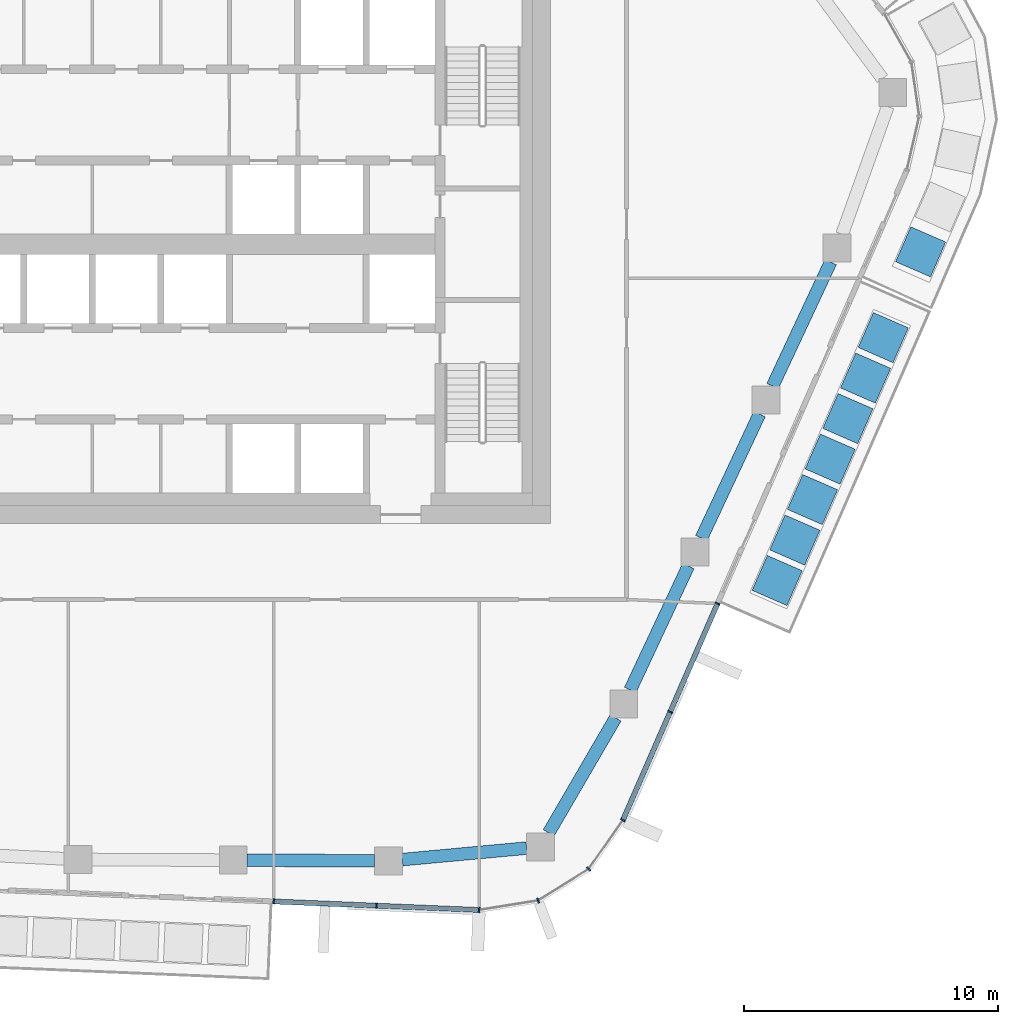
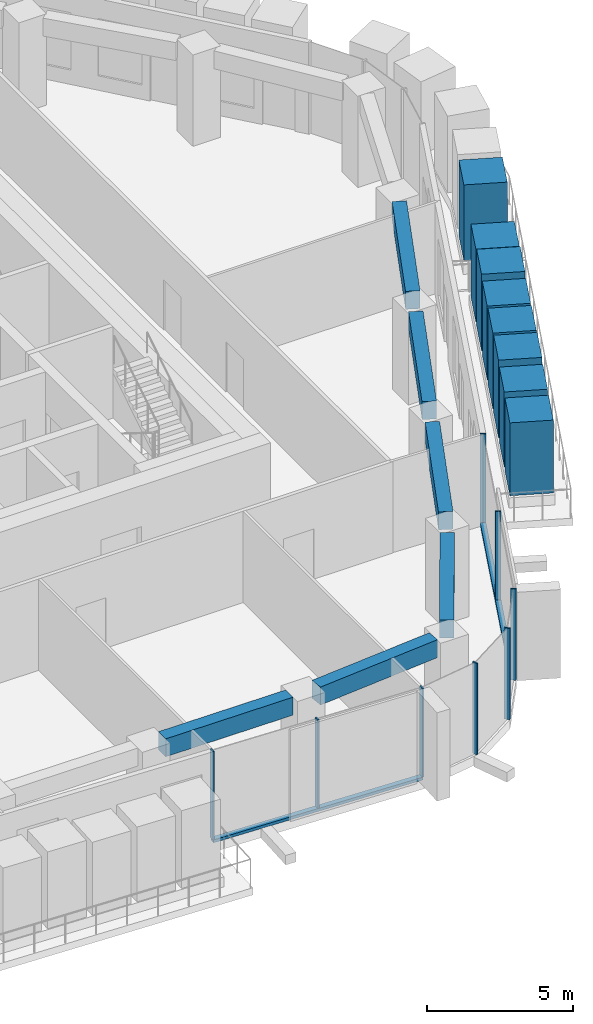
# One storey, part 4 of 20: 18 members, 6 beams, 3 elements without a shape of their own.
"""IFC4 building model written with IfcOpenShell, lengths in metres."""

from ifc_helpers import new_model, si_unit, direction, frame, origin, origin_2d, place, context, subcontext, project, spatial, rectangle, extrude, material, layer, layer_set, material_profile, profile_set, type_object, element, aggregate, save


model = new_model("IFC4")

# Units and contexts
model_context = context("Model", 3, precision=1e-05, world=origin(), true_north=direction((0.0, 1.0)))
body_context = subcontext(model_context, "Body", "Model", "MODEL_VIEW")
ifc_project = project(units=[si_unit("LENGTHUNIT", "METRE"), si_unit("AREAUNIT", "SQUARE_METRE"), si_unit("VOLUMEUNIT", "CUBIC_METRE"), si_unit("PLANEANGLEUNIT", "RADIAN"), si_unit("MASSUNIT", "GRAM", prefix="KILO")], contexts=[model_context])

# Site, building, storey
site_placement = place(None, origin())
site = spatial("IfcSite", under=ifc_project, at=site_placement, CompositionType="ELEMENT")
building_placement = place(site_placement, origin())
building = spatial("IfcBuilding", under=site, at=building_placement, Name="Dongbaek Canopy Tower", CompositionType="ELEMENT")
storey_placement = place(building_placement, frame((0.0, 0.0, 245.39990234375)))
storey = spatial("IfcBuildingStorey", under=building, at=storey_placement, Name="L51", CompositionType="ELEMENT", Elevation=245.39990234375)

# Curtain wall, members
ifc_material_1 = material(Name="Aluminium 6063-T6 pale anodised", Category="aluminium")
ifc_layer = layer(ifc_material_1, 0.199951171875)
ifc_layer_set = layer_set([ifc_layer], Name="CW-1 unitised tower curtain wall")
curtain_wall_type = type_object("IfcCurtainWallType", Name="CW-1 unitised tower curtain wall", PredefinedType="NOTDEFINED", material=ifc_layer_set)
curtain_wall_1_placement = place(storey_placement, origin())
curtain_wall_1 = element("IfcCurtainWall", 1, at=curtain_wall_1_placement, inside=storey, type_object=curtain_wall_type, Name="CW-1 curtain wall F4.1", PredefinedType="NOTDEFINED")
ifc_material_2 = material(Name="Aluminium 6063-T6 pale anodised", Category="aluminium")
ifc_material_profile_1 = material_profile(ifc_material_2, rectangle(XDim=0.199951171875, YDim=0.06005859375, at=origin_2d()), Name="CW-1 mullion 60 x 200")
ifc_profile_set_1 = profile_set([ifc_material_profile_1], Name="Aluminium 6063-T6 pale anodised")
member_type_1 = type_object("IfcMemberType", Name="CW-1 mullion 60 x 200", PredefinedType="MULLION", material=ifc_profile_set_1)
member_1_placement = place(storey_placement, frame((3.097900390625, -25.899169921875, 0.1201171875), z_axis=(0.0, 0.0, 1.0), x_axis=(-0.041481315027, -0.999139279832, 0.0)))
member_1 = element("IfcMember", 2, at=member_1_placement, type_object=member_type_1, Name="CW-1 mullion F4.1.1", PredefinedType="MULLION", context=body_context, shape_type="SweptSolid", body=[
    extrude(rectangle(XDim=0.199951171875, YDim=0.06005859375, at=origin_2d()), origin(), (0.0, 0.0, 1.0), 3.699951171875),
])
member_2_placement = place(storey_placement, frame((7.151123046875, -26.0673828125, 0.1201171875), z_axis=(0.0, 0.0, 1.0), x_axis=(-0.041481315027, -0.999139279832, 0.0)))
member_2 = element("IfcMember", 3, at=member_2_placement, type_object=member_type_1, Name="CW-1 mullion F4.1.2", PredefinedType="MULLION", context=body_context, shape_type="SweptSolid", body=[
    extrude(rectangle(XDim=0.199951171875, YDim=0.06005859375, at=origin_2d()), origin(), (0.0, 0.0, 1.0), 3.699951171875),
])
member_3_placement = place(storey_placement, frame((11.194091796875, -26.2353515625, 0.1201171875), z_axis=(0.0, 0.0, 1.0), x_axis=(-0.041481315027, -0.999139279832, 0.0)))
member_3 = element("IfcMember", 4, at=member_3_placement, type_object=member_type_1, Name="CW-1 mullion F4.1.3", PredefinedType="MULLION", context=body_context, shape_type="SweptSolid", body=[
    extrude(rectangle(XDim=0.199951171875, YDim=0.06005859375, at=origin_2d()), origin(), (0.0, 0.0, 1.0), 3.699951171875),
])

curtain_wall_2_placement = place(storey_placement, origin())
curtain_wall_2 = element("IfcCurtainWall", 5, at=curtain_wall_2_placement, inside=storey, type_object=curtain_wall_type, Name="CW-1 curtain wall K5.1", PredefinedType="NOTDEFINED")
member_4_placement = place(storey_placement, frame((13.51904296875, -25.863525390625, 0.0), z_axis=(0.0, 0.0, 1.0), x_axis=(0.351016909849, -0.936369120059, 0.0)))
member_4 = element("IfcMember", 6, at=member_4_placement, type_object=member_type_1, Name="CW-1 mullion K5.1.2", PredefinedType="MULLION", context=body_context, shape_type="SweptSolid", body=[
    extrude(rectangle(XDim=0.199951171875, YDim=0.06005859375, at=origin_2d()), origin(), (0.0, 0.0, 1.0), 3.820068359375),
])
member_5_placement = place(storey_placement, frame((15.507080078125, -24.62060546875, 0.0), z_axis=(0.0, 0.0, 1.0), x_axis=(0.688056235783, -0.72565736846, 0.0)))
member_5 = element("IfcMember", 7, at=member_5_placement, type_object=member_type_1, Name="CW-1 mullion K5.1.3", PredefinedType="MULLION", context=body_context, shape_type="SweptSolid", body=[
    extrude(rectangle(XDim=0.199951171875, YDim=0.06005859375, at=origin_2d()), origin(), (0.0, 0.0, 1.0), 3.820068359375),
])
member_6_placement = place(storey_placement, frame((16.859619140625, -22.693359375, 0.0), z_axis=(0.0, 0.0, 1.0), x_axis=(0.818549902753, -0.574435424311, 0.0)))
member_6 = element("IfcMember", 8, at=member_6_placement, type_object=member_type_1, Name="CW-1 mullion K5.1.4", PredefinedType="MULLION", context=body_context, shape_type="SweptSolid", body=[
    extrude(rectangle(XDim=0.199951171875, YDim=0.06005859375, at=origin_2d()), origin(), (0.0, 0.0, 1.0), 3.820068359375),
])
aggregate(curtain_wall_2, [member_4, member_5, member_6])

curtain_wall_3_placement = place(storey_placement, origin())
curtain_wall_3 = element("IfcCurtainWall", 9, at=curtain_wall_3_placement, inside=storey, type_object=curtain_wall_type, Name="CW-1 curtain wall F5.1", PredefinedType="NOTDEFINED")
member_7_placement = place(storey_placement, frame((18.721923828125, -18.43017578125, 0.1201171875), z_axis=(0.0, 0.0, 1.0), x_axis=(0.9163861515, -0.400295417584, 0.0)))
member_7 = element("IfcMember", 10, at=member_7_placement, type_object=member_type_1, Name="CW-1 mullion F5.1.2", PredefinedType="MULLION", context=body_context, shape_type="SweptSolid", body=[
    extrude(rectangle(XDim=0.199951171875, YDim=0.06005859375, at=origin_2d()), origin(), (0.0, 0.0, 1.0), 3.699951171875),
])
member_8_placement = place(storey_placement, frame((20.588134765625, -14.15771484375, 0.1201171875), z_axis=(0.0, 0.0, 1.0), x_axis=(0.9163861515, -0.400295417584, 0.0)))
member_8 = element("IfcMember", 11, at=member_8_placement, type_object=member_type_1, Name="CW-1 mullion F5.1.3", PredefinedType="MULLION", context=body_context, shape_type="SweptSolid", body=[
    extrude(rectangle(XDim=0.199951171875, YDim=0.06005859375, at=origin_2d()), origin(), (0.0, 0.0, 1.0), 3.699951171875),
])

# Member
ifc_material_3 = material(Name="Aluminium 6063-T6 pale anodised", Category="aluminium")
ifc_material_profile_2 = material_profile(ifc_material_3, rectangle(XDim=0.199951171875, YDim=0.1201171875, at=origin_2d()), Name="CW-1 transom 120 x 200")
ifc_profile_set_2 = profile_set([ifc_material_profile_2], Name="Aluminium 6063-T6 pale anodised")
member_type_2 = type_object("IfcMemberType", Name="CW-1 transom 120 x 200", PredefinedType="USERDEFINED", material=ifc_profile_set_2)
member_9_placement = place(storey_placement, frame((3.097900390625, -25.899169921875, 0.06005859375), z_axis=(0.999139015582, -0.041487679406, 0.0), x_axis=(0.041487679406, 0.999139015582, 0.0)))
member_9 = element("IfcMember", 12, at=member_9_placement, type_object=member_type_2, Name="CW-1 transom F4.1.1", ObjectType="TRANSOM", PredefinedType="USERDEFINED", context=body_context, shape_type="SweptSolid", body=[
    extrude(rectangle(XDim=0.199951171875, YDim=0.1201171875, at=origin_2d()), origin(), (0.0, 0.0, 1.0), 8.103271484375),
])

aggregate(curtain_wall_1, [member_1, member_2, member_3, member_9])

member_10_placement = place(storey_placement, frame((16.859619140625, -22.693359375, 0.06005859375), z_axis=(0.400293518041, 0.916386981256, 0.0), x_axis=(-0.916386981256, 0.400293518041, 0.0)))
member_10 = element("IfcMember", 13, at=member_10_placement, type_object=member_type_2, Name="CW-1 transom F5.1.1", ObjectType="TRANSOM", PredefinedType="USERDEFINED", context=body_context, shape_type="SweptSolid", body=[
    extrude(rectangle(XDim=0.199951171875, YDim=0.1201171875, at=origin_2d()), origin(), (0.0, 0.0, 1.0), 9.314453125),
])

aggregate(curtain_wall_3, [member_7, member_8, member_10])

# Beams
ifc_material_4 = material(Name="Concrete C70", Category="concrete")
ifc_material_profile_3 = material_profile(ifc_material_4, rectangle(XDim=0.5, YDim=0.75, at=origin_2d()), Name="RC EDGE BEAM 500x750 C70")
ifc_profile_set_3 = profile_set([ifc_material_profile_3], Name="Concrete C70")
beam_type = type_object("IfcBeamType", Name="RC EDGE BEAM 500x750 C70", PredefinedType="BEAM", material=ifc_profile_set_3)
beam_1_placement = place(storey_placement, frame((13.06201171875, -23.796875, 3.445068359375), z_axis=(-0.995758214652, -0.092008575434, 0.0), x_axis=(0.092008575434, -0.995758214652, 0.0)))
element("IfcBeam", 14, at=beam_1_placement, inside=storey, type_object=beam_type, Name="EDGEBEAM:L51:00", PredefinedType="BEAM", context=body_context, shape_type="SweptSolid", body=[
    extrude(rectangle(XDim=0.5, YDim=0.75, at=origin_2d()), origin(), (0.0, 0.0, 1.0), 4.916748046875),
])
beam_2_placement = place(storey_placement, frame((7.06591796875, -24.297607421875, 3.445068359375), z_axis=(-0.999989301171, 0.004625747851, 0.0), x_axis=(-0.004625747851, -0.999989301171, 0.0)))
element("IfcBeam", 15, at=beam_2_placement, inside=storey, type_object=beam_type, Name="EDGEBEAM:L51:01", PredefinedType="BEAM", context=body_context, shape_type="SweptSolid", body=[
    extrude(rectangle(XDim=0.5, YDim=0.75, at=origin_2d()), origin(), (0.0, 0.0, 1.0), 5.013916015625),
])
beam_3_placement = place(storey_placement, frame((25.04443359375, -0.701904296875, 3.445068359375), z_axis=(-0.423972479832, -0.905675072167, 0.0), x_axis=(0.905675072167, -0.423972479832, 0.0)))
element("IfcBeam", 16, at=beam_3_placement, inside=storey, type_object=beam_type, Name="EDGEBEAM:L51:22", PredefinedType="BEAM", context=body_context, shape_type="SweptSolid", body=[
    extrude(rectangle(XDim=0.5, YDim=0.75, at=origin_2d()), origin(), (0.0, 0.0, 1.0), 5.396240234375),
])
beam_4_placement = place(storey_placement, frame((22.241455078125, -6.68896484375, 3.445068359375), z_axis=(-0.424105880993, -0.905612611279, 0.0), x_axis=(0.905612611279, -0.424105880993, 0.0)))
element("IfcBeam", 17, at=beam_4_placement, inside=storey, type_object=beam_type, Name="EDGEBEAM:L51:23", PredefinedType="BEAM", context=body_context, shape_type="SweptSolid", body=[
    extrude(rectangle(XDim=0.5, YDim=0.75, at=origin_2d()), origin(), (0.0, 0.0, 1.0), 5.3974609375),
])
beam_5_placement = place(storey_placement, frame((19.437255859375, -12.677001953125, 3.445068359375), z_axis=(-0.424249579949, -0.905545301966, 0.0), x_axis=(0.905545301966, -0.424249579949, 0.0)))
element("IfcBeam", 18, at=beam_5_placement, inside=storey, type_object=beam_type, Name="EDGEBEAM:L51:24", PredefinedType="BEAM", context=body_context, shape_type="SweptSolid", body=[
    extrude(rectangle(XDim=0.5, YDim=0.75, at=origin_2d()), origin(), (0.0, 0.0, 1.0), 5.396728515625),
])
beam_6_placement = place(storey_placement, frame((16.56982421875, -18.6640625, 3.445068359375), z_axis=(-0.503022590015, -0.864273263462, 0.0), x_axis=(0.864273263462, -0.503022590015, 0.0)))
element("IfcBeam", 19, at=beam_6_placement, inside=storey, type_object=beam_type, Name="EDGEBEAM:L51:25", PredefinedType="BEAM", context=body_context, shape_type="SweptSolid", body=[
    extrude(rectangle(XDim=0.5, YDim=0.75, at=origin_2d()), origin(), (0.0, 0.0, 1.0), 5.24365234375),
])

# Members
ifc_material_5 = material(Name="Concrete C40/50 planter mass with planting", Category="concrete")
ifc_material_profile_4 = material_profile(ifc_material_5, rectangle(XDim=1.5, YDim=1.5, at=origin_2d()), Name="Terrace PLANTER shrub mass 1500 x 1500")
ifc_profile_set_4 = profile_set([ifc_material_profile_4], Name="Concrete C40/50 planter mass with planting")
member_type_3 = type_object("IfcMemberType", Name="Terrace PLANTER shrub mass 1500 x 1500", PredefinedType="USERDEFINED", material=ifc_profile_set_4)
member_11_placement = place(storey_placement, frame((22.93701171875, -13.251953125, 0.420166015625), z_axis=(0.0, 0.0, 1.0), x_axis=(0.9163861515, -0.400295417584, 0.0)))
element("IfcMember", 20, at=member_11_placement, inside=storey, type_object=member_type_3, Name="Planter shrubs L51 5.1", ObjectType="PLANTER", PredefinedType="USERDEFINED", context=body_context, shape_type="SweptSolid", body=[
    extrude(rectangle(XDim=1.5, YDim=1.5, at=origin_2d()), origin(), (0.0, 0.0, 1.0), 3.050048828125),
])
member_12_placement = place(storey_placement, frame((23.634033203125, -11.656494140625, 0.420166015625), z_axis=(0.0, 0.0, 1.0), x_axis=(0.9163861515, -0.400295417584, 0.0)))
element("IfcMember", 21, at=member_12_placement, inside=storey, type_object=member_type_3, Name="Planter shrubs L51 5.2", ObjectType="PLANTER", PredefinedType="USERDEFINED", context=body_context, shape_type="SweptSolid", body=[
    extrude(rectangle(XDim=1.5, YDim=1.5, at=origin_2d()), origin(), (0.0, 0.0, 1.0), 3.1298828125),
])
member_13_placement = place(storey_placement, frame((24.330810546875, -10.06103515625, 0.420166015625), z_axis=(0.0, 0.0, 1.0), x_axis=(0.9163861515, -0.400295417584, 0.0)))
element("IfcMember", 22, at=member_13_placement, inside=storey, type_object=member_type_3, Name="Planter shrubs L51 5.3", ObjectType="PLANTER", PredefinedType="USERDEFINED", context=body_context, shape_type="SweptSolid", body=[
    extrude(rectangle(XDim=1.5, YDim=1.5, at=origin_2d()), origin(), (0.0, 0.0, 1.0), 3.25),
])
member_14_placement = place(storey_placement, frame((25.02783203125, -8.4658203125, 0.420166015625), z_axis=(0.0, 0.0, 1.0), x_axis=(0.9163861515, -0.400295417584, 0.0)))
element("IfcMember", 23, at=member_14_placement, inside=storey, type_object=member_type_3, Name="Planter shrubs L51 5.4", ObjectType="PLANTER", PredefinedType="USERDEFINED", context=body_context, shape_type="SweptSolid", body=[
    extrude(rectangle(XDim=1.5, YDim=1.5, at=origin_2d()), origin(), (0.0, 0.0, 1.0), 3.169921875),
])
member_15_placement = place(storey_placement, frame((25.724609375, -6.870361328125, 0.420166015625), z_axis=(0.0, 0.0, 1.0), x_axis=(0.9163861515, -0.400295417584, 0.0)))
element("IfcMember", 24, at=member_15_placement, inside=storey, type_object=member_type_3, Name="Planter shrubs L51 5.5", ObjectType="PLANTER", PredefinedType="USERDEFINED", context=body_context, shape_type="SweptSolid", body=[
    extrude(rectangle(XDim=1.5, YDim=1.5, at=origin_2d()), origin(), (0.0, 0.0, 1.0), 3.08984375),
])
member_16_placement = place(storey_placement, frame((26.421630859375, -5.27490234375, 0.420166015625), z_axis=(0.0, 0.0, 1.0), x_axis=(0.9163861515, -0.400295417584, 0.0)))
element("IfcMember", 25, at=member_16_placement, inside=storey, type_object=member_type_3, Name="Planter shrubs L51 5.6", ObjectType="PLANTER", PredefinedType="USERDEFINED", context=body_context, shape_type="SweptSolid", body=[
    extrude(rectangle(XDim=1.5, YDim=1.5, at=origin_2d()), origin(), (0.0, 0.0, 1.0), 3.2099609375),
])
member_17_placement = place(storey_placement, frame((27.118408203125, -3.679443359375, 0.420166015625), z_axis=(0.0, 0.0, 1.0), x_axis=(0.9163861515, -0.400295417584, 0.0)))
element("IfcMember", 26, at=member_17_placement, inside=storey, type_object=member_type_3, Name="Planter shrubs L51 5.7", ObjectType="PLANTER", PredefinedType="USERDEFINED", context=body_context, shape_type="SweptSolid", body=[
    extrude(rectangle(XDim=1.5, YDim=1.5, at=origin_2d()), origin(), (0.0, 0.0, 1.0), 3.050048828125),
])
member_18_placement = place(storey_placement, frame((28.593017578125, -0.299560546875, 0.420166015625), z_axis=(0.0, 0.0, 1.0), x_axis=(0.917131470952, -0.398584827846, 0.0)))
element("IfcMember", 27, at=member_18_placement, inside=storey, type_object=member_type_3, Name="Planter shrubs L51 6.1", ObjectType="PLANTER", PredefinedType="USERDEFINED", context=body_context, shape_type="SweptSolid", body=[
    extrude(rectangle(XDim=1.5, YDim=1.5, at=origin_2d()), origin(), (0.0, 0.0, 1.0), 3.169921875),
])

save(model, "model.ifc")
